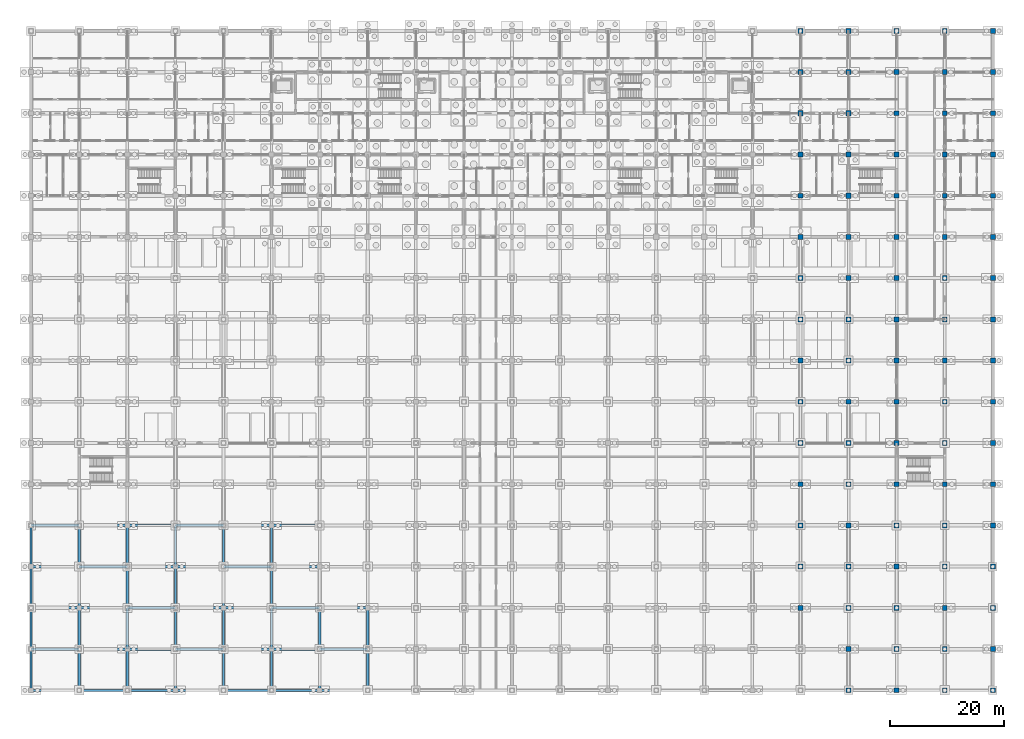
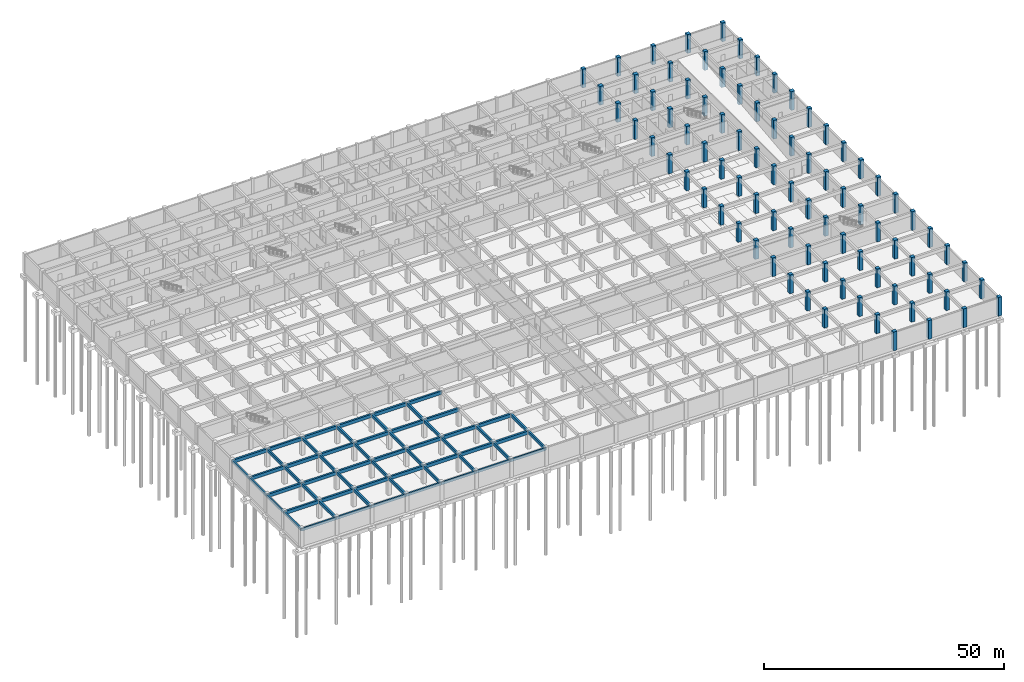
# One storey, part 18 of 85: 83 columns, 61 beams.
"""IFC4 building model written with IfcOpenShell, lengths in metres."""

from ifc_helpers import new_model, si_unit, direction, frame, origin, origin_2d, place, context, subcontext, project, spatial, rectangle, extrude, material, material_profile, profile_set, type_object, element, save


model = new_model("IFC4")

# Units and contexts
model_context = context("Model", 3, precision=1e-05, world=origin(), true_north=direction((0.0, 1.0)))
body_context = subcontext(model_context, "Body", "Model", "MODEL_VIEW")
ifc_project = project(units=[si_unit("LENGTHUNIT", "METRE"), si_unit("AREAUNIT", "SQUARE_METRE"), si_unit("VOLUMEUNIT", "CUBIC_METRE"), si_unit("PLANEANGLEUNIT", "RADIAN"), si_unit("MASSUNIT", "GRAM", prefix="KILO")], contexts=[model_context])

# Site, building, storey
site_placement = place(None, origin())
site = spatial("IfcSite", under=ifc_project, at=site_placement, CompositionType="ELEMENT")
building_placement = place(site_placement, origin())
building = spatial("IfcBuilding", under=site, at=building_placement, Name="Chengyuan Square Courthouse", CompositionType="ELEMENT")
storey_placement = place(building_placement, frame((0.0, 0.0, -10.199951171875)))
storey = spatial("IfcBuildingStorey", under=building, at=storey_placement, Name="B02", CompositionType="ELEMENT", Elevation=-10.199951171875)

# Columns
ifc_material_1 = material(Name="Concrete C50", Category="concrete")
ifc_material_profile_1 = material_profile(ifc_material_1, rectangle(XDim=0.89990234375, YDim=0.89990234375, at=origin_2d()), Name="RC-COL-900x900")
ifc_profile_set_1 = profile_set([ifc_material_profile_1], Name="Concrete C50")
column_type_1 = type_object("IfcColumnType", Name="CL-02", PredefinedType="COLUMN", material=ifc_profile_set_1)
for number, where, z_axis, x_axis, name in (
    (1, (134.39990234375, 79.199951171875, 0.0), (0.0, 0.0, 1.0), (1.0, 0.0, 0.0), "Column CL-B02-284"),
    (2, (134.39990234375, 100.800048828125, 0.0), (0.0, 0.0, 1.0), (1.0, 0.0, 0.0), "Column CL-B02-287"),
    (3, (134.39990234375, 108.0, 0.0), (0.0, 0.0, 1.0), (1.0, 0.0, 0.0), "Column CL-B02-288"),
    (4, (142.800048828125, 79.199951171875, 0.0), (0.0, 0.0, 1.0), (1.0, 0.0, 0.0), "Column CL-B02-301"),
    (5, (142.800048828125, 86.39990234375, 0.0), (0.0, 0.0, 1.0), (1.0, 0.0, 0.0), "Column CL-B02-302"),
    (6, (142.800048828125, 93.60009765625, 0.0), (0.0, 0.0, 1.0), (1.0, 0.0, 0.0), "Column CL-B02-303"),
    (7, (142.800048828125, 100.800048828125, 0.0), (0.0, 0.0, 1.0), (1.0, 0.0, 0.0), "Column CL-B02-304"),
    (8, (142.800048828125, 108.0, 0.0), (0.0, 0.0, 1.0), (1.0, 0.0, 0.0), "Column CL-B02-305"),
):
    element("IfcColumn", number, at=place(storey_placement, frame(where, z_axis=z_axis, x_axis=x_axis)), inside=storey, type_object=column_type_1, Name=name, PredefinedType="COLUMN", context=body_context, shape_type="SweptSolid", body=[
        extrude(rectangle(XDim=0.89990234375, YDim=0.89990234375, at=origin_2d()), origin(), (0.0, 0.0, 1.0), 4.800048828125),
    ])
ifc_material_profile_2 = material_profile(ifc_material_1, rectangle(XDim=0.85009765625, YDim=0.85009765625, at=origin_2d()), Name="RC-COL-850x850")
ifc_profile_set_2 = profile_set([ifc_material_profile_2], Name="Concrete C50")
column_type_2 = type_object("IfcColumnType", Name="CL-03", PredefinedType="COLUMN", material=ifc_profile_set_2)
for number, where, z_axis, x_axis, name in (
    (9, (134.39990234375, 14.39990234375, 0.0), (0.0, 0.0, 1.0), (1.0, 0.0, 0.0), "Column CL-B02-275"),
    (10, (134.39990234375, 21.60009765625, 0.0), (0.0, 0.0, 1.0), (1.0, 0.0, 0.0), "Column CL-B02-276"),
    (11, (134.39990234375, 28.800048828125, 0.0), (0.0, 0.0, 1.0), (1.0, 0.0, 0.0), "Column CL-B02-277"),
    (12, (134.39990234375, 36.0, 0.0), (0.0, 0.0, 1.0), (1.0, 0.0, 0.0), "Column CL-B02-278"),
    (13, (134.39990234375, 43.199951171875, 0.0), (0.0, 0.0, 1.0), (1.0, 0.0, 0.0), "Column CL-B02-279"),
    (14, (134.39990234375, 50.39990234375, 0.0), (0.0, 0.0, 1.0), (1.0, 0.0, 0.0), "Column CL-B02-280"),
    (15, (134.39990234375, 57.60009765625, 0.0), (0.0, 0.0, 1.0), (1.0, 0.0, 0.0), "Column CL-B02-281"),
    (16, (134.39990234375, 64.800048828125, 0.0), (0.0, 0.0, 1.0), (1.0, 0.0, 0.0), "Column CL-B02-282"),
    (17, (134.39990234375, 72.0, 0.0), (0.0, 0.0, 1.0), (1.0, 0.0, 0.0), "Column CL-B02-283"),
    (18, (134.39990234375, 86.39990234375, 0.0), (0.0, 0.0, 1.0), (1.0, 0.0, 0.0), "Column CL-B02-285"),
    (19, (134.39990234375, 93.60009765625, 0.0), (0.0, 0.0, 1.0), (1.0, 0.0, 0.0), "Column CL-B02-286"),
    (20, (134.39990234375, 115.199951171875, 0.0), (0.0, 0.0, 1.0), (1.0, 0.0, 0.0), "Column CL-B02-289"),
    (21, (142.800048828125, 0.0, 0.0), (0.0, 0.0, 1.0), (1.0, 0.0, 0.0), "Column CL-B02-290"),
    (22, (142.800048828125, 7.199951171875, 0.0), (0.0, 0.0, 1.0), (1.0, 0.0, 0.0), "Column CL-B02-291"),
    (23, (142.800048828125, 14.39990234375, 0.0), (0.0, 0.0, 1.0), (1.0, 0.0, 0.0), "Column CL-B02-292"),
    (24, (142.800048828125, 21.60009765625, 0.0), (0.0, 0.0, 1.0), (1.0, 0.0, 0.0), "Column CL-B02-293"),
    (25, (142.800048828125, 28.800048828125, 0.0), (0.0, 0.0, 1.0), (1.0, 0.0, 0.0), "Column CL-B02-294"),
    (26, (142.800048828125, 36.0, 0.0), (0.0, 0.0, 1.0), (1.0, 0.0, 0.0), "Column CL-B02-295"),
    (27, (142.800048828125, 43.199951171875, 0.0), (0.0, 0.0, 1.0), (1.0, 0.0, 0.0), "Column CL-B02-296"),
    (28, (142.800048828125, 50.39990234375, 0.0), (0.0, 0.0, 1.0), (1.0, 0.0, 0.0), "Column CL-B02-297"),
    (29, (142.800048828125, 57.60009765625, 0.0), (0.0, 0.0, 1.0), (1.0, 0.0, 0.0), "Column CL-B02-298"),
    (30, (142.800048828125, 64.800048828125, 0.0), (0.0, 0.0, 1.0), (1.0, 0.0, 0.0), "Column CL-B02-299"),
    (31, (142.800048828125, 72.0, 0.0), (0.0, 0.0, 1.0), (1.0, 0.0, 0.0), "Column CL-B02-300"),
    (32, (142.800048828125, 115.199951171875, 0.0), (0.0, 0.0, 1.0), (1.0, 0.0, 0.0), "Column CL-B02-306"),
    (33, (151.199951171875, 0.0, 0.0), (0.0, 0.0, 1.0), (1.0, 0.0, 0.0), "Column CL-B02-307"),
    (34, (151.199951171875, 7.199951171875, 0.0), (0.0, 0.0, 1.0), (1.0, 0.0, 0.0), "Column CL-B02-308"),
    (35, (151.199951171875, 14.39990234375, 0.0), (0.0, 0.0, 1.0), (1.0, 0.0, 0.0), "Column CL-B02-309"),
    (36, (151.199951171875, 21.60009765625, 0.0), (0.0, 0.0, 1.0), (1.0, 0.0, 0.0), "Column CL-B02-310"),
    (37, (151.199951171875, 28.800048828125, 0.0), (0.0, 0.0, 1.0), (1.0, 0.0, 0.0), "Column CL-B02-311"),
    (38, (151.199951171875, 36.0, 0.0), (0.0, 0.0, 1.0), (1.0, 0.0, 0.0), "Column CL-B02-312"),
    (39, (151.199951171875, 43.199951171875, 0.0), (0.0, 0.0, 1.0), (1.0, 0.0, 0.0), "Column CL-B02-313"),
    (40, (151.199951171875, 50.39990234375, 0.0), (0.0, 0.0, 1.0), (1.0, 0.0, 0.0), "Column CL-B02-314"),
    (41, (151.199951171875, 57.60009765625, 0.0), (0.0, 0.0, 1.0), (1.0, 0.0, 0.0), "Column CL-B02-315"),
    (42, (151.199951171875, 64.800048828125, 0.0), (0.0, 0.0, 1.0), (1.0, 0.0, 0.0), "Column CL-B02-316"),
    (43, (151.199951171875, 72.0, 0.0), (0.0, 0.0, 1.0), (1.0, 0.0, 0.0), "Column CL-B02-317"),
    (44, (151.199951171875, 79.199951171875, 0.0), (0.0, 0.0, 1.0), (1.0, 0.0, 0.0), "Column CL-B02-318"),
    (45, (151.199951171875, 86.39990234375, 0.0), (0.0, 0.0, 1.0), (1.0, 0.0, 0.0), "Column CL-B02-319"),
    (46, (151.199951171875, 93.60009765625, 0.0), (0.0, 0.0, 1.0), (1.0, 0.0, 0.0), "Column CL-B02-320"),
    (47, (151.199951171875, 100.800048828125, 0.0), (0.0, 0.0, 1.0), (1.0, 0.0, 0.0), "Column CL-B02-321"),
    (48, (151.199951171875, 108.0, 0.0), (0.0, 0.0, 1.0), (1.0, 0.0, 0.0), "Column CL-B02-322"),
    (49, (151.199951171875, 115.199951171875, 0.0), (0.0, 0.0, 1.0), (1.0, 0.0, 0.0), "Column CL-B02-323"),
    (50, (159.60009765625, 0.0, 0.0), (0.0, 0.0, 1.0), (1.0, 0.0, 0.0), "Column CL-B02-324"),
    (51, (159.60009765625, 7.199951171875, 0.0), (0.0, 0.0, 1.0), (1.0, 0.0, 0.0), "Column CL-B02-325"),
    (52, (159.60009765625, 14.39990234375, 0.0), (0.0, 0.0, 1.0), (1.0, 0.0, 0.0), "Column CL-B02-326"),
    (53, (159.60009765625, 21.60009765625, 0.0), (0.0, 0.0, 1.0), (1.0, 0.0, 0.0), "Column CL-B02-327"),
    (54, (159.60009765625, 28.800048828125, 0.0), (0.0, 0.0, 1.0), (1.0, 0.0, 0.0), "Column CL-B02-328"),
    (55, (159.60009765625, 36.0, 0.0), (0.0, 0.0, 1.0), (1.0, 0.0, 0.0), "Column CL-B02-329"),
    (56, (159.60009765625, 43.199951171875, 0.0), (0.0, 0.0, 1.0), (1.0, 0.0, 0.0), "Column CL-B02-330"),
    (57, (159.60009765625, 50.39990234375, 0.0), (0.0, 0.0, 1.0), (1.0, 0.0, 0.0), "Column CL-B02-331"),
    (58, (159.60009765625, 57.60009765625, 0.0), (0.0, 0.0, 1.0), (1.0, 0.0, 0.0), "Column CL-B02-332"),
    (59, (159.60009765625, 64.800048828125, 0.0), (0.0, 0.0, 1.0), (1.0, 0.0, 0.0), "Column CL-B02-333"),
    (60, (159.60009765625, 72.0, 0.0), (0.0, 0.0, 1.0), (1.0, 0.0, 0.0), "Column CL-B02-334"),
    (61, (159.60009765625, 79.199951171875, 0.0), (0.0, 0.0, 1.0), (1.0, 0.0, 0.0), "Column CL-B02-335"),
    (62, (159.60009765625, 86.39990234375, 0.0), (0.0, 0.0, 1.0), (1.0, 0.0, 0.0), "Column CL-B02-336"),
    (63, (159.60009765625, 93.60009765625, 0.0), (0.0, 0.0, 1.0), (1.0, 0.0, 0.0), "Column CL-B02-337"),
    (64, (159.60009765625, 100.800048828125, 0.0), (0.0, 0.0, 1.0), (1.0, 0.0, 0.0), "Column CL-B02-338"),
    (65, (159.60009765625, 108.0, 0.0), (0.0, 0.0, 1.0), (1.0, 0.0, 0.0), "Column CL-B02-339"),
    (66, (159.60009765625, 115.199951171875, 0.0), (0.0, 0.0, 1.0), (1.0, 0.0, 0.0), "Column CL-B02-340"),
    (67, (168.0, 0.0, 0.0), (0.0, 0.0, 1.0), (1.0, 0.0, 0.0), "Column CL-B02-341"),
    (68, (168.0, 7.199951171875, 0.0), (0.0, 0.0, 1.0), (1.0, 0.0, 0.0), "Column CL-B02-342"),
    (69, (168.0, 14.39990234375, 0.0), (0.0, 0.0, 1.0), (1.0, 0.0, 0.0), "Column CL-B02-343"),
    (70, (168.0, 21.60009765625, 0.0), (0.0, 0.0, 1.0), (1.0, 0.0, 0.0), "Column CL-B02-344"),
    (71, (168.0, 28.800048828125, 0.0), (0.0, 0.0, 1.0), (1.0, 0.0, 0.0), "Column CL-B02-345"),
    (72, (168.0, 36.0, 0.0), (0.0, 0.0, 1.0), (1.0, 0.0, 0.0), "Column CL-B02-346"),
    (73, (168.0, 43.199951171875, 0.0), (0.0, 0.0, 1.0), (1.0, 0.0, 0.0), "Column CL-B02-347"),
    (74, (168.0, 50.39990234375, 0.0), (0.0, 0.0, 1.0), (1.0, 0.0, 0.0), "Column CL-B02-348"),
    (75, (168.0, 57.60009765625, 0.0), (0.0, 0.0, 1.0), (1.0, 0.0, 0.0), "Column CL-B02-349"),
    (76, (168.0, 64.800048828125, 0.0), (0.0, 0.0, 1.0), (1.0, 0.0, 0.0), "Column CL-B02-350"),
    (77, (168.0, 72.0, 0.0), (0.0, 0.0, 1.0), (1.0, 0.0, 0.0), "Column CL-B02-351"),
    (78, (168.0, 79.199951171875, 0.0), (0.0, 0.0, 1.0), (1.0, 0.0, 0.0), "Column CL-B02-352"),
    (79, (168.0, 86.39990234375, 0.0), (0.0, 0.0, 1.0), (1.0, 0.0, 0.0), "Column CL-B02-353"),
    (80, (168.0, 93.60009765625, 0.0), (0.0, 0.0, 1.0), (1.0, 0.0, 0.0), "Column CL-B02-354"),
    (81, (168.0, 100.800048828125, 0.0), (0.0, 0.0, 1.0), (1.0, 0.0, 0.0), "Column CL-B02-355"),
    (82, (168.0, 108.0, 0.0), (0.0, 0.0, 1.0), (1.0, 0.0, 0.0), "Column CL-B02-356"),
    (83, (168.0, 115.199951171875, 0.0), (0.0, 0.0, 1.0), (1.0, 0.0, 0.0), "Column CL-B02-357"),
):
    element("IfcColumn", number, at=place(storey_placement, frame(where, z_axis=z_axis, x_axis=x_axis)), inside=storey, type_object=column_type_2, Name=name, PredefinedType="COLUMN", context=body_context, shape_type="SweptSolid", body=[
        extrude(rectangle(XDim=0.85009765625, YDim=0.85009765625, at=origin_2d()), origin(), (0.0, 0.0, 1.0), 4.800048828125),
    ])

# Beams
ifc_material_2 = material(Name="Concrete C40", Category="concrete")
ifc_material_profile_3 = material_profile(ifc_material_2, rectangle(XDim=0.449951171875, YDim=0.85009765625, at=origin_2d()), Name="RC-BM-450x850")
ifc_profile_set_3 = profile_set([ifc_material_profile_3], Name="Concrete C40")
beam_type_1 = type_object("IfcBeamType", Name="BM-01", PredefinedType="USERDEFINED", material=ifc_profile_set_3)
beam_1_placement = place(storey_placement, frame((0.0, 7.199951171875, 4.054931640625), z_axis=(1.0, 0.0, 0.0), x_axis=(0.0, 1.0, 0.0)))
element("IfcBeam", 84, at=beam_1_placement, inside=storey, type_object=beam_type_1, Name="Girder BM-B02-0021", ObjectType="GIRDER", PredefinedType="USERDEFINED", context=body_context, shape_type="SweptSolid", body=[
    extrude(rectangle(XDim=0.449951171875, YDim=0.85009765625, at=origin_2d()), origin(), (0.0, 0.0, 1.0), 8.39990234375),
])
beam_2_placement = place(storey_placement, frame((8.39990234375, 7.199951171875, 4.054931640625), z_axis=(1.0, 0.0, 0.0), x_axis=(0.0, 1.0, 0.0)))
element("IfcBeam", 85, at=beam_2_placement, inside=storey, type_object=beam_type_1, Name="Girder BM-B02-0022", ObjectType="GIRDER", PredefinedType="USERDEFINED", context=body_context, shape_type="SweptSolid", body=[
    extrude(rectangle(XDim=0.449951171875, YDim=0.85009765625, at=origin_2d()), origin(), (0.0, 0.0, 1.0), 8.400146484375),
])
beam_3_placement = place(storey_placement, frame((16.800048828125, 7.199951171875, 4.054931640625), z_axis=(1.0, 0.0, 0.0), x_axis=(0.0, 1.0, 0.0)))
element("IfcBeam", 86, at=beam_3_placement, inside=storey, type_object=beam_type_1, Name="Girder BM-B02-0023", ObjectType="GIRDER", PredefinedType="USERDEFINED", context=body_context, shape_type="SweptSolid", body=[
    extrude(rectangle(XDim=0.449951171875, YDim=0.85009765625, at=origin_2d()), origin(), (0.0, 0.0, 1.0), 8.39990234375),
])
beam_4_placement = place(storey_placement, frame((25.199951171875, 7.199951171875, 4.054931640625), z_axis=(1.0, 0.0, 0.0), x_axis=(0.0, 1.0, 0.0)))
element("IfcBeam", 87, at=beam_4_placement, inside=storey, type_object=beam_type_1, Name="Girder BM-B02-0024", ObjectType="GIRDER", PredefinedType="USERDEFINED", context=body_context, shape_type="SweptSolid", body=[
    extrude(rectangle(XDim=0.449951171875, YDim=0.85009765625, at=origin_2d()), origin(), (0.0, 0.0, 1.0), 8.400146484375),
])
for number, where, z_axis, x_axis, name in (
    (88, (33.60009765625, 7.199951171875, 4.054931640625), (1.0, 0.0, 0.0), (0.0, 1.0, 0.0), "Girder BM-B02-0025"),
    (89, (42.0, 7.199951171875, 4.054931640625), (1.0, 0.0, 0.0), (0.0, 1.0, 0.0), "Girder BM-B02-0026"),
):
    element("IfcBeam", number, at=place(storey_placement, frame(where, z_axis=z_axis, x_axis=x_axis)), inside=storey, type_object=beam_type_1, Name=name, ObjectType="GIRDER", PredefinedType="USERDEFINED", context=body_context, shape_type="SweptSolid", body=[
        extrude(rectangle(XDim=0.449951171875, YDim=0.85009765625, at=origin_2d()), origin(), (0.0, 0.0, 1.0), 8.39990234375),
    ])
beam_5_placement = place(storey_placement, frame((50.39990234375, 7.199951171875, 4.054931640625), z_axis=(1.0, 0.0, 0.0), x_axis=(0.0, 1.0, 0.0)))
element("IfcBeam", 90, at=beam_5_placement, inside=storey, type_object=beam_type_1, Name="Girder BM-B02-0027", ObjectType="GIRDER", PredefinedType="USERDEFINED", context=body_context, shape_type="SweptSolid", body=[
    extrude(rectangle(XDim=0.449951171875, YDim=0.85009765625, at=origin_2d()), origin(), (0.0, 0.0, 1.0), 8.400146484375),
])
beam_6_placement = place(storey_placement, frame((0.0, 14.39990234375, 4.054931640625), z_axis=(1.0, 0.0, 0.0), x_axis=(0.0, 1.0, 0.0)))
element("IfcBeam", 91, at=beam_6_placement, inside=storey, type_object=beam_type_1, Name="Girder BM-B02-0041", ObjectType="GIRDER", PredefinedType="USERDEFINED", context=body_context, shape_type="SweptSolid", body=[
    extrude(rectangle(XDim=0.449951171875, YDim=0.85009765625, at=origin_2d()), origin(), (0.0, 0.0, 1.0), 8.39990234375),
])
beam_7_placement = place(storey_placement, frame((8.39990234375, 14.39990234375, 4.054931640625), z_axis=(1.0, 0.0, 0.0), x_axis=(0.0, 1.0, 0.0)))
element("IfcBeam", 92, at=beam_7_placement, inside=storey, type_object=beam_type_1, Name="Girder BM-B02-0042", ObjectType="GIRDER", PredefinedType="USERDEFINED", context=body_context, shape_type="SweptSolid", body=[
    extrude(rectangle(XDim=0.449951171875, YDim=0.85009765625, at=origin_2d()), origin(), (0.0, 0.0, 1.0), 8.400146484375),
])
beam_8_placement = place(storey_placement, frame((16.800048828125, 14.39990234375, 4.054931640625), z_axis=(1.0, 0.0, 0.0), x_axis=(0.0, 1.0, 0.0)))
element("IfcBeam", 93, at=beam_8_placement, inside=storey, type_object=beam_type_1, Name="Girder BM-B02-0043", ObjectType="GIRDER", PredefinedType="USERDEFINED", context=body_context, shape_type="SweptSolid", body=[
    extrude(rectangle(XDim=0.449951171875, YDim=0.85009765625, at=origin_2d()), origin(), (0.0, 0.0, 1.0), 8.39990234375),
])
beam_9_placement = place(storey_placement, frame((25.199951171875, 14.39990234375, 4.054931640625), z_axis=(1.0, 0.0, 0.0), x_axis=(0.0, 1.0, 0.0)))
element("IfcBeam", 94, at=beam_9_placement, inside=storey, type_object=beam_type_1, Name="Girder BM-B02-0044", ObjectType="GIRDER", PredefinedType="USERDEFINED", context=body_context, shape_type="SweptSolid", body=[
    extrude(rectangle(XDim=0.449951171875, YDim=0.85009765625, at=origin_2d()), origin(), (0.0, 0.0, 1.0), 8.400146484375),
])
for number, where, z_axis, x_axis, name in (
    (95, (33.60009765625, 14.39990234375, 4.054931640625), (1.0, 0.0, 0.0), (0.0, 1.0, 0.0), "Girder BM-B02-0045"),
    (96, (42.0, 14.39990234375, 4.054931640625), (1.0, 0.0, 0.0), (0.0, 1.0, 0.0), "Girder BM-B02-0046"),
):
    element("IfcBeam", number, at=place(storey_placement, frame(where, z_axis=z_axis, x_axis=x_axis)), inside=storey, type_object=beam_type_1, Name=name, ObjectType="GIRDER", PredefinedType="USERDEFINED", context=body_context, shape_type="SweptSolid", body=[
        extrude(rectangle(XDim=0.449951171875, YDim=0.85009765625, at=origin_2d()), origin(), (0.0, 0.0, 1.0), 8.39990234375),
    ])
beam_10_placement = place(storey_placement, frame((50.39990234375, 14.39990234375, 4.054931640625), z_axis=(1.0, 0.0, 0.0), x_axis=(0.0, 1.0, 0.0)))
element("IfcBeam", 97, at=beam_10_placement, inside=storey, type_object=beam_type_1, Name="Girder BM-B02-0047", ObjectType="GIRDER", PredefinedType="USERDEFINED", context=body_context, shape_type="SweptSolid", body=[
    extrude(rectangle(XDim=0.449951171875, YDim=0.85009765625, at=origin_2d()), origin(), (0.0, 0.0, 1.0), 8.400146484375),
])
beam_11_placement = place(storey_placement, frame((0.0, 21.60009765625, 4.054931640625), z_axis=(1.0, 0.0, 0.0), x_axis=(0.0, 1.0, 0.0)))
element("IfcBeam", 98, at=beam_11_placement, inside=storey, type_object=beam_type_1, Name="Girder BM-B02-0061", ObjectType="GIRDER", PredefinedType="USERDEFINED", context=body_context, shape_type="SweptSolid", body=[
    extrude(rectangle(XDim=0.449951171875, YDim=0.85009765625, at=origin_2d()), origin(), (0.0, 0.0, 1.0), 8.39990234375),
])
beam_12_placement = place(storey_placement, frame((8.39990234375, 21.60009765625, 4.054931640625), z_axis=(1.0, 0.0, 0.0), x_axis=(0.0, 1.0, 0.0)))
element("IfcBeam", 99, at=beam_12_placement, inside=storey, type_object=beam_type_1, Name="Girder BM-B02-0062", ObjectType="GIRDER", PredefinedType="USERDEFINED", context=body_context, shape_type="SweptSolid", body=[
    extrude(rectangle(XDim=0.449951171875, YDim=0.85009765625, at=origin_2d()), origin(), (0.0, 0.0, 1.0), 8.400146484375),
])
beam_13_placement = place(storey_placement, frame((16.800048828125, 21.60009765625, 4.054931640625), z_axis=(1.0, 0.0, 0.0), x_axis=(0.0, 1.0, 0.0)))
element("IfcBeam", 100, at=beam_13_placement, inside=storey, type_object=beam_type_1, Name="Girder BM-B02-0063", ObjectType="GIRDER", PredefinedType="USERDEFINED", context=body_context, shape_type="SweptSolid", body=[
    extrude(rectangle(XDim=0.449951171875, YDim=0.85009765625, at=origin_2d()), origin(), (0.0, 0.0, 1.0), 8.39990234375),
])
beam_14_placement = place(storey_placement, frame((25.199951171875, 21.60009765625, 4.054931640625), z_axis=(1.0, 0.0, 0.0), x_axis=(0.0, 1.0, 0.0)))
element("IfcBeam", 101, at=beam_14_placement, inside=storey, type_object=beam_type_1, Name="Girder BM-B02-0064", ObjectType="GIRDER", PredefinedType="USERDEFINED", context=body_context, shape_type="SweptSolid", body=[
    extrude(rectangle(XDim=0.449951171875, YDim=0.85009765625, at=origin_2d()), origin(), (0.0, 0.0, 1.0), 8.400146484375),
])
for number, where, z_axis, x_axis, name in (
    (102, (33.60009765625, 21.60009765625, 4.054931640625), (1.0, 0.0, 0.0), (0.0, 1.0, 0.0), "Girder BM-B02-0065"),
    (103, (42.0, 21.60009765625, 4.054931640625), (1.0, 0.0, 0.0), (0.0, 1.0, 0.0), "Girder BM-B02-0066"),
    (104, (0.0, 28.800048828125, 4.054931640625), (1.0, 0.0, 0.0), (0.0, 1.0, 0.0), "Girder BM-B02-0081"),
):
    element("IfcBeam", number, at=place(storey_placement, frame(where, z_axis=z_axis, x_axis=x_axis)), inside=storey, type_object=beam_type_1, Name=name, ObjectType="GIRDER", PredefinedType="USERDEFINED", context=body_context, shape_type="SweptSolid", body=[
        extrude(rectangle(XDim=0.449951171875, YDim=0.85009765625, at=origin_2d()), origin(), (0.0, 0.0, 1.0), 8.39990234375),
    ])
beam_15_placement = place(storey_placement, frame((8.39990234375, 28.800048828125, 4.054931640625), z_axis=(1.0, 0.0, 0.0), x_axis=(0.0, 1.0, 0.0)))
element("IfcBeam", 105, at=beam_15_placement, inside=storey, type_object=beam_type_1, Name="Girder BM-B02-0082", ObjectType="GIRDER", PredefinedType="USERDEFINED", context=body_context, shape_type="SweptSolid", body=[
    extrude(rectangle(XDim=0.449951171875, YDim=0.85009765625, at=origin_2d()), origin(), (0.0, 0.0, 1.0), 8.400146484375),
])
beam_16_placement = place(storey_placement, frame((16.800048828125, 28.800048828125, 4.054931640625), z_axis=(1.0, 0.0, 0.0), x_axis=(0.0, 1.0, 0.0)))
element("IfcBeam", 106, at=beam_16_placement, inside=storey, type_object=beam_type_1, Name="Girder BM-B02-0083", ObjectType="GIRDER", PredefinedType="USERDEFINED", context=body_context, shape_type="SweptSolid", body=[
    extrude(rectangle(XDim=0.449951171875, YDim=0.85009765625, at=origin_2d()), origin(), (0.0, 0.0, 1.0), 8.39990234375),
])
beam_17_placement = place(storey_placement, frame((25.199951171875, 28.800048828125, 4.054931640625), z_axis=(1.0, 0.0, 0.0), x_axis=(0.0, 1.0, 0.0)))
element("IfcBeam", 107, at=beam_17_placement, inside=storey, type_object=beam_type_1, Name="Girder BM-B02-0084", ObjectType="GIRDER", PredefinedType="USERDEFINED", context=body_context, shape_type="SweptSolid", body=[
    extrude(rectangle(XDim=0.449951171875, YDim=0.85009765625, at=origin_2d()), origin(), (0.0, 0.0, 1.0), 8.400146484375),
])
for number, where, z_axis, x_axis, name in (
    (108, (33.60009765625, 28.800048828125, 4.054931640625), (1.0, 0.0, 0.0), (0.0, 1.0, 0.0), "Girder BM-B02-0085"),
    (109, (42.0, 28.800048828125, 4.054931640625), (1.0, 0.0, 0.0), (0.0, 1.0, 0.0), "Girder BM-B02-0086"),
):
    element("IfcBeam", number, at=place(storey_placement, frame(where, z_axis=z_axis, x_axis=x_axis)), inside=storey, type_object=beam_type_1, Name=name, ObjectType="GIRDER", PredefinedType="USERDEFINED", context=body_context, shape_type="SweptSolid", body=[
        extrude(rectangle(XDim=0.449951171875, YDim=0.85009765625, at=origin_2d()), origin(), (0.0, 0.0, 1.0), 8.39990234375),
    ])
ifc_material_profile_4 = material_profile(ifc_material_2, rectangle(XDim=0.39990234375, YDim=0.75, at=origin_2d()), Name="RC-BM-400x750")
ifc_profile_set_4 = profile_set([ifc_material_profile_4], Name="Concrete C40")
beam_type_2 = type_object("IfcBeamType", Name="BM-02", PredefinedType="USERDEFINED", material=ifc_profile_set_4)
for number, where, z_axis, x_axis, name in (
    (110, (8.39990234375, 0.0, 4.10498046875), (0.0, 1.0, 0.0), (-1.0, 0.0, 0.0), "Girder BM-B02-0352"),
    (111, (8.39990234375, 7.199951171875, 4.10498046875), (0.0, 1.0, 0.0), (-1.0, 0.0, 0.0), "Girder BM-B02-0353"),
):
    element("IfcBeam", number, at=place(storey_placement, frame(where, z_axis=z_axis, x_axis=x_axis)), inside=storey, type_object=beam_type_2, Name=name, ObjectType="GIRDER", PredefinedType="USERDEFINED", context=body_context, shape_type="SweptSolid", body=[
        extrude(rectangle(XDim=0.39990234375, YDim=0.75, at=origin_2d()), origin(), (0.0, 0.0, 1.0), 7.199951171875),
    ])
beam_18_placement = place(storey_placement, frame((8.39990234375, 14.39990234375, 4.10498046875), z_axis=(0.0, 1.0, 0.0), x_axis=(-1.0, 0.0, 0.0)))
element("IfcBeam", 112, at=beam_18_placement, inside=storey, type_object=beam_type_2, Name="Girder BM-B02-0354", ObjectType="GIRDER", PredefinedType="USERDEFINED", context=body_context, shape_type="SweptSolid", body=[
    extrude(rectangle(XDim=0.39990234375, YDim=0.75, at=origin_2d()), origin(), (0.0, 0.0, 1.0), 7.2001953125),
])
for number, where, z_axis, x_axis, name in (
    (113, (8.39990234375, 21.60009765625, 4.10498046875), (0.0, 1.0, 0.0), (-1.0, 0.0, 0.0), "Girder BM-B02-0355"),
    (114, (16.800048828125, 0.0, 4.10498046875), (0.0, 1.0, 0.0), (-1.0, 0.0, 0.0), "Girder BM-B02-0368"),
    (115, (16.800048828125, 7.199951171875, 4.10498046875), (0.0, 1.0, 0.0), (-1.0, 0.0, 0.0), "Girder BM-B02-0369"),
):
    element("IfcBeam", number, at=place(storey_placement, frame(where, z_axis=z_axis, x_axis=x_axis)), inside=storey, type_object=beam_type_2, Name=name, ObjectType="GIRDER", PredefinedType="USERDEFINED", context=body_context, shape_type="SweptSolid", body=[
        extrude(rectangle(XDim=0.39990234375, YDim=0.75, at=origin_2d()), origin(), (0.0, 0.0, 1.0), 7.199951171875),
    ])
beam_19_placement = place(storey_placement, frame((16.800048828125, 14.39990234375, 4.10498046875), z_axis=(0.0, 1.0, 0.0), x_axis=(-1.0, 0.0, 0.0)))
element("IfcBeam", 116, at=beam_19_placement, inside=storey, type_object=beam_type_2, Name="Girder BM-B02-0370", ObjectType="GIRDER", PredefinedType="USERDEFINED", context=body_context, shape_type="SweptSolid", body=[
    extrude(rectangle(XDim=0.39990234375, YDim=0.75, at=origin_2d()), origin(), (0.0, 0.0, 1.0), 7.2001953125),
])
for number, where, z_axis, x_axis, name in (
    (117, (16.800048828125, 21.60009765625, 4.10498046875), (0.0, 1.0, 0.0), (-1.0, 0.0, 0.0), "Girder BM-B02-0371"),
    (118, (25.199951171875, 0.0, 4.10498046875), (0.0, 1.0, 0.0), (-1.0, 0.0, 0.0), "Girder BM-B02-0384"),
    (119, (25.199951171875, 7.199951171875, 4.10498046875), (0.0, 1.0, 0.0), (-1.0, 0.0, 0.0), "Girder BM-B02-0385"),
):
    element("IfcBeam", number, at=place(storey_placement, frame(where, z_axis=z_axis, x_axis=x_axis)), inside=storey, type_object=beam_type_2, Name=name, ObjectType="GIRDER", PredefinedType="USERDEFINED", context=body_context, shape_type="SweptSolid", body=[
        extrude(rectangle(XDim=0.39990234375, YDim=0.75, at=origin_2d()), origin(), (0.0, 0.0, 1.0), 7.199951171875),
    ])
beam_20_placement = place(storey_placement, frame((25.199951171875, 14.39990234375, 4.10498046875), z_axis=(0.0, 1.0, 0.0), x_axis=(-1.0, 0.0, 0.0)))
element("IfcBeam", 120, at=beam_20_placement, inside=storey, type_object=beam_type_2, Name="Girder BM-B02-0386", ObjectType="GIRDER", PredefinedType="USERDEFINED", context=body_context, shape_type="SweptSolid", body=[
    extrude(rectangle(XDim=0.39990234375, YDim=0.75, at=origin_2d()), origin(), (0.0, 0.0, 1.0), 7.2001953125),
])
for number, where, z_axis, x_axis, name in (
    (121, (25.199951171875, 21.60009765625, 4.10498046875), (0.0, 1.0, 0.0), (-1.0, 0.0, 0.0), "Girder BM-B02-0387"),
    (122, (33.60009765625, 0.0, 4.10498046875), (0.0, 1.0, 0.0), (-1.0, 0.0, 0.0), "Girder BM-B02-0400"),
    (123, (33.60009765625, 7.199951171875, 4.10498046875), (0.0, 1.0, 0.0), (-1.0, 0.0, 0.0), "Girder BM-B02-0401"),
):
    element("IfcBeam", number, at=place(storey_placement, frame(where, z_axis=z_axis, x_axis=x_axis)), inside=storey, type_object=beam_type_2, Name=name, ObjectType="GIRDER", PredefinedType="USERDEFINED", context=body_context, shape_type="SweptSolid", body=[
        extrude(rectangle(XDim=0.39990234375, YDim=0.75, at=origin_2d()), origin(), (0.0, 0.0, 1.0), 7.199951171875),
    ])
beam_21_placement = place(storey_placement, frame((33.60009765625, 14.39990234375, 4.10498046875), z_axis=(0.0, 1.0, 0.0), x_axis=(-1.0, 0.0, 0.0)))
element("IfcBeam", 124, at=beam_21_placement, inside=storey, type_object=beam_type_2, Name="Girder BM-B02-0402", ObjectType="GIRDER", PredefinedType="USERDEFINED", context=body_context, shape_type="SweptSolid", body=[
    extrude(rectangle(XDim=0.39990234375, YDim=0.75, at=origin_2d()), origin(), (0.0, 0.0, 1.0), 7.2001953125),
])
for number, where, z_axis, x_axis, name in (
    (125, (33.60009765625, 21.60009765625, 4.10498046875), (0.0, 1.0, 0.0), (-1.0, 0.0, 0.0), "Girder BM-B02-0403"),
    (126, (42.0, 0.0, 4.10498046875), (0.0, 1.0, 0.0), (-1.0, 0.0, 0.0), "Girder BM-B02-0416"),
    (127, (42.0, 7.199951171875, 4.10498046875), (0.0, 1.0, 0.0), (-1.0, 0.0, 0.0), "Girder BM-B02-0417"),
):
    element("IfcBeam", number, at=place(storey_placement, frame(where, z_axis=z_axis, x_axis=x_axis)), inside=storey, type_object=beam_type_2, Name=name, ObjectType="GIRDER", PredefinedType="USERDEFINED", context=body_context, shape_type="SweptSolid", body=[
        extrude(rectangle(XDim=0.39990234375, YDim=0.75, at=origin_2d()), origin(), (0.0, 0.0, 1.0), 7.199951171875),
    ])
beam_22_placement = place(storey_placement, frame((42.0, 14.39990234375, 4.10498046875), z_axis=(0.0, 1.0, 0.0), x_axis=(-1.0, 0.0, 0.0)))
element("IfcBeam", 128, at=beam_22_placement, inside=storey, type_object=beam_type_2, Name="Girder BM-B02-0418", ObjectType="GIRDER", PredefinedType="USERDEFINED", context=body_context, shape_type="SweptSolid", body=[
    extrude(rectangle(XDim=0.39990234375, YDim=0.75, at=origin_2d()), origin(), (0.0, 0.0, 1.0), 7.2001953125),
])
for number, where, z_axis, x_axis, name in (
    (129, (42.0, 21.60009765625, 4.10498046875), (0.0, 1.0, 0.0), (-1.0, 0.0, 0.0), "Girder BM-B02-0419"),
    (130, (50.39990234375, 0.0, 4.10498046875), (0.0, 1.0, 0.0), (-1.0, 0.0, 0.0), "Girder BM-B02-0432"),
    (131, (50.39990234375, 7.199951171875, 4.10498046875), (0.0, 1.0, 0.0), (-1.0, 0.0, 0.0), "Girder BM-B02-0433"),
    (132, (58.800048828125, 0.0, 4.10498046875), (0.0, 1.0, 0.0), (-1.0, 0.0, 0.0), "Girder BM-B02-0448"),
    (133, (58.800048828125, 7.199951171875, 4.10498046875), (0.0, 1.0, 0.0), (-1.0, 0.0, 0.0), "Girder BM-B02-0449"),
):
    element("IfcBeam", number, at=place(storey_placement, frame(where, z_axis=z_axis, x_axis=x_axis)), inside=storey, type_object=beam_type_2, Name=name, ObjectType="GIRDER", PredefinedType="USERDEFINED", context=body_context, shape_type="SweptSolid", body=[
        extrude(rectangle(XDim=0.39990234375, YDim=0.75, at=origin_2d()), origin(), (0.0, 0.0, 1.0), 7.199951171875),
    ])
ifc_material_profile_5 = material_profile(ifc_material_2, rectangle(XDim=0.35009765625, YDim=0.64990234375, at=origin_2d()), Name="RC-BM-350x650")
ifc_profile_set_5 = profile_set([ifc_material_profile_5], Name="Concrete C40")
beam_type_3 = type_object("IfcBeamType", Name="BM-03", PredefinedType="SPANDREL", material=ifc_profile_set_5)
beam_23_placement = place(storey_placement, frame((0.0, 0.0, 4.155029296875), z_axis=(1.0, 0.0, 0.0), x_axis=(0.0, 1.0, 0.0)))
element("IfcBeam", 134, at=beam_23_placement, inside=storey, type_object=beam_type_3, Name="Girder BM-B02-0001", PredefinedType="SPANDREL", context=body_context, shape_type="SweptSolid", body=[
    extrude(rectangle(XDim=0.35009765625, YDim=0.64990234375, at=origin_2d()), origin(), (0.0, 0.0, 1.0), 8.39990234375),
])
beam_24_placement = place(storey_placement, frame((8.39990234375, 0.0, 4.155029296875), z_axis=(1.0, 0.0, 0.0), x_axis=(0.0, 1.0, 0.0)))
element("IfcBeam", 135, at=beam_24_placement, inside=storey, type_object=beam_type_3, Name="Girder BM-B02-0002", PredefinedType="SPANDREL", context=body_context, shape_type="SweptSolid", body=[
    extrude(rectangle(XDim=0.35009765625, YDim=0.64990234375, at=origin_2d()), origin(), (0.0, 0.0, 1.0), 8.400146484375),
])
beam_25_placement = place(storey_placement, frame((16.800048828125, 0.0, 4.155029296875), z_axis=(1.0, 0.0, 0.0), x_axis=(0.0, 1.0, 0.0)))
element("IfcBeam", 136, at=beam_25_placement, inside=storey, type_object=beam_type_3, Name="Girder BM-B02-0003", PredefinedType="SPANDREL", context=body_context, shape_type="SweptSolid", body=[
    extrude(rectangle(XDim=0.35009765625, YDim=0.64990234375, at=origin_2d()), origin(), (0.0, 0.0, 1.0), 8.39990234375),
])
beam_26_placement = place(storey_placement, frame((25.199951171875, 0.0, 4.155029296875), z_axis=(1.0, 0.0, 0.0), x_axis=(0.0, 1.0, 0.0)))
element("IfcBeam", 137, at=beam_26_placement, inside=storey, type_object=beam_type_3, Name="Girder BM-B02-0004", PredefinedType="SPANDREL", context=body_context, shape_type="SweptSolid", body=[
    extrude(rectangle(XDim=0.35009765625, YDim=0.64990234375, at=origin_2d()), origin(), (0.0, 0.0, 1.0), 8.400146484375),
])
for number, where, z_axis, x_axis, name in (
    (138, (33.60009765625, 0.0, 4.155029296875), (1.0, 0.0, 0.0), (0.0, 1.0, 0.0), "Girder BM-B02-0005"),
    (139, (42.0, 0.0, 4.155029296875), (1.0, 0.0, 0.0), (0.0, 1.0, 0.0), "Girder BM-B02-0006"),
):
    element("IfcBeam", number, at=place(storey_placement, frame(where, z_axis=z_axis, x_axis=x_axis)), inside=storey, type_object=beam_type_3, Name=name, PredefinedType="SPANDREL", context=body_context, shape_type="SweptSolid", body=[
        extrude(rectangle(XDim=0.35009765625, YDim=0.64990234375, at=origin_2d()), origin(), (0.0, 0.0, 1.0), 8.39990234375),
    ])
beam_27_placement = place(storey_placement, frame((50.39990234375, 0.0, 4.155029296875), z_axis=(1.0, 0.0, 0.0), x_axis=(0.0, 1.0, 0.0)))
element("IfcBeam", 140, at=beam_27_placement, inside=storey, type_object=beam_type_3, Name="Girder BM-B02-0007", PredefinedType="SPANDREL", context=body_context, shape_type="SweptSolid", body=[
    extrude(rectangle(XDim=0.35009765625, YDim=0.64990234375, at=origin_2d()), origin(), (0.0, 0.0, 1.0), 8.400146484375),
])
for number, where, z_axis, x_axis, name in (
    (141, (0.0, 0.0, 4.155029296875), (0.0, 1.0, 0.0), (-1.0, 0.0, 0.0), "Girder BM-B02-0336"),
    (142, (0.0, 7.199951171875, 4.155029296875), (0.0, 1.0, 0.0), (-1.0, 0.0, 0.0), "Girder BM-B02-0337"),
):
    element("IfcBeam", number, at=place(storey_placement, frame(where, z_axis=z_axis, x_axis=x_axis)), inside=storey, type_object=beam_type_3, Name=name, PredefinedType="SPANDREL", context=body_context, shape_type="SweptSolid", body=[
        extrude(rectangle(XDim=0.35009765625, YDim=0.64990234375, at=origin_2d()), origin(), (0.0, 0.0, 1.0), 7.199951171875),
    ])
beam_28_placement = place(storey_placement, frame((0.0, 14.39990234375, 4.155029296875), z_axis=(0.0, 1.0, 0.0), x_axis=(-1.0, 0.0, 0.0)))
element("IfcBeam", 143, at=beam_28_placement, inside=storey, type_object=beam_type_3, Name="Girder BM-B02-0338", PredefinedType="SPANDREL", context=body_context, shape_type="SweptSolid", body=[
    extrude(rectangle(XDim=0.35009765625, YDim=0.64990234375, at=origin_2d()), origin(), (0.0, 0.0, 1.0), 7.2001953125),
])
beam_29_placement = place(storey_placement, frame((0.0, 21.60009765625, 4.155029296875), z_axis=(0.0, 1.0, 0.0), x_axis=(-1.0, 0.0, 0.0)))
element("IfcBeam", 144, at=beam_29_placement, inside=storey, type_object=beam_type_3, Name="Girder BM-B02-0339", PredefinedType="SPANDREL", context=body_context, shape_type="SweptSolid", body=[
    extrude(rectangle(XDim=0.35009765625, YDim=0.64990234375, at=origin_2d()), origin(), (0.0, 0.0, 1.0), 7.199951171875),
])

save(model, "model.ifc")
